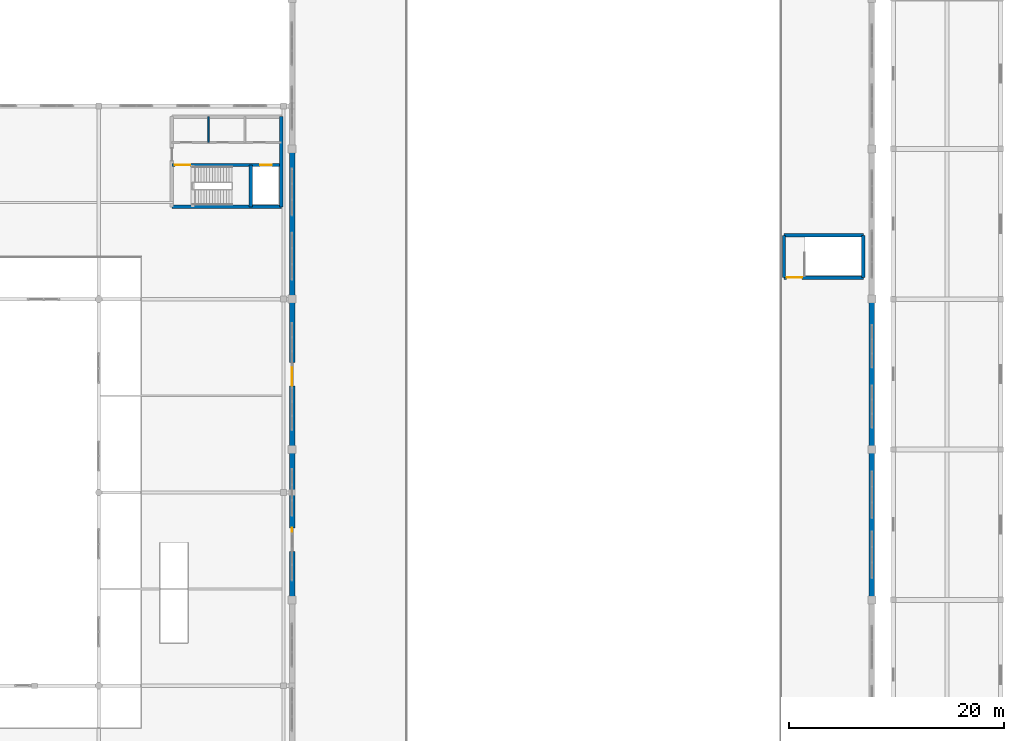
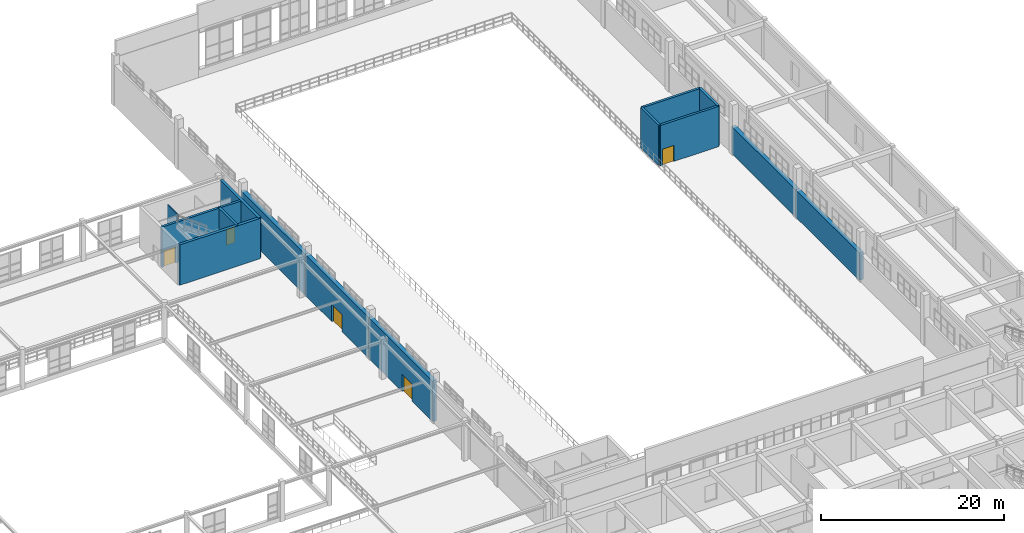
# One storey, part 179 of 197: 14 walls, 5 doors, 5 openings.
"""IFC4 building model written with IfcOpenShell, lengths in metres."""

from ifc_helpers import new_model, si_unit, derived_unit, direction, frame, frame_2d, origin, place, context, subcontext, project, spatial, rectangle, extrude, material, layer, layer_set, type_object, element, fill, save


model = new_model("IFC4")

# Units and contexts
model_context = context("Model", 3, precision=1e-05, world=origin(), true_north=direction((0.0, 1.0)))
body_context = subcontext(model_context, "Body", "Model", "MODEL_VIEW")
ifc_project = project(units=[si_unit("LENGTHUNIT", "METRE"), si_unit("AREAUNIT", "SQUARE_METRE"), si_unit("VOLUMEUNIT", "CUBIC_METRE"), si_unit("PLANEANGLEUNIT", "RADIAN"), si_unit("MASSUNIT", "GRAM", prefix="KILO"), derived_unit("THERMALTRANSMITTANCEUNIT", [(si_unit("POWERUNIT", "WATT"), 1), (si_unit("LENGTHUNIT", "METRE"), -2), (si_unit("THERMODYNAMICTEMPERATUREUNIT", "KELVIN"), -1)])], contexts=[model_context])

# Site, building, storey
site_placement = place(None, origin())
site = spatial("IfcSite", under=ifc_project, at=site_placement, CompositionType="ELEMENT")
building_placement = place(site_placement, origin())
building = spatial("IfcBuilding", under=site, at=building_placement, Name="Almenara Railside Exhibition Hall", CompositionType="ELEMENT")
storey_placement = place(building_placement, frame((0.0, 0.0, 5.39990234375)))
storey = spatial("IfcBuildingStorey", under=building, at=storey_placement, Name="L01", CompositionType="ELEMENT", Elevation=5.39990234375)

# Walls
ifc_material_1 = material(Name="Concrete C35/45", Category="concrete")
ifc_layer_1 = layer(ifc_material_1, 0.35009765625, Name="Concrete C35/45")
ifc_layer_set_1 = layer_set([ifc_layer_1], Name="Concrete C35/45")
wall_type_1 = type_object("IfcWallType", Name="Core Coupled Shear Wall 350mm C35/45", PredefinedType="SHEAR", material=ifc_layer_set_1)
wall_1_placement = place(storey_placement, frame((126.800048828125, 98.60009765625, 0.0), z_axis=(0.0, 0.0, 1.0), x_axis=(1.0, 0.0, 0.0)))
element("IfcWall", 1, at=wall_1_placement, inside=storey, type_object=wall_type_1, Name="Interior wall 0226", PredefinedType="SHEAR", context=body_context, shape_type="SweptSolid", body=[
    extrude(rectangle(XDim=10.199951171875, YDim=0.35009765625, at=frame_2d((5.10009765625, 0.0))), origin(), (0.0, 0.0, 1.0), 5.400146484375),
])
wall_2_placement = place(storey_placement, frame((137.0, 98.60009765625, 0.0), z_axis=(0.0, 0.0, 1.0), x_axis=(0.0, 1.0, 0.0)))
element("IfcWall", 2, at=wall_2_placement, inside=storey, type_object=wall_type_1, Name="Interior wall 0229", PredefinedType="SHEAR", context=body_context, shape_type="SweptSolid", body=[
    extrude(rectangle(XDim=8.39990234375, YDim=0.35009765625, at=frame_2d((4.199951171875, 0.0))), origin(), (0.0, 0.0, 1.0), 5.400146484375),
])

# Wall, opening, door
ifc_material_2 = material(Name="Ochre-white lime-rendered masonry over Concrete C35/45", Category="masonry")
ifc_layer_2 = layer(ifc_material_2, 0.510009765625, Name="Ochre-white lime-rendered masonry over Concrete C35/45")
ifc_layer_set_2 = layer_set([ifc_layer_2], Name="Ochre-white lime-rendered masonry over Concrete C35/45")
wall_type_2 = type_object("IfcWallType", Name="Exterior East Hall Thermal Wall 510mm C35/45", PredefinedType="SOLIDWALL", material=ifc_layer_set_2)
wall_3_placement = place(storey_placement, frame((138.0, 76.0, 0.0), z_axis=(0.0, 0.0, 1.0), x_axis=(0.0, -1.0, 0.0)))
wall_3 = element("IfcWall", 3, at=wall_3_placement, inside=storey, type_object=wall_type_2, Name="Exterior wall 0079", PredefinedType="SOLIDWALL", context=body_context, shape_type="SweptSolid", body=[
    extrude(rectangle(XDim=14.0, YDim=0.510009765625, at=frame_2d((7.0, 0.0))), origin(), (0.0, 0.0, 1.0), 5.4501953125),
])
opening_1_placement = place(wall_3_placement, frame((7.300048828125, 0.0, 0.0)))
opening_1 = element("IfcOpeningElement", 4, at=opening_1_placement, cuts=wall_3, Name="Opening FD-22", PredefinedType="OPENING", context=body_context, shape_type="SweptSolid", body=[
    extrude(rectangle(XDim=2.199951171875, YDim=2.300048828125, at=frame_2d((1.10009765625, 1.14990234375))), frame((0.0, 0.264892578125, 0.0), z_axis=(0.0, -1.0, 0.0), x_axis=(1.0, 0.0, 0.0)), (0.0, 0.0, 1.0), 0.530029296875),
])
ifc_material_3 = material(Name="Steel-framed fire-rated timber door", Category="steel")
door_type_1 = type_object("IfcDoorType", Name="Hall Escape Stair Double Door 2200x2300 EI60", OperationType="NOTDEFINED", PredefinedType="DOOR", material=ifc_material_3)
door_1_placement = place(opening_1_placement, origin())
door_1 = element("IfcDoor", 5, at=door_1_placement, inside=storey, type_object=door_type_1, Name="Interior door FD-22-280", OperationType="DOUBLE_DOOR_SINGLE_SWING", OverallHeight=2.300048828125, OverallWidth=2.199951171875, PredefinedType="DOOR", context=body_context, shape_type="SweptSolid", body=[
    extrude(rectangle(XDim=2.199951171875, YDim=2.300048828125, at=frame_2d((1.10009765625, 1.14990234375))), frame((0.0, 0.02490234375, 0.0), z_axis=(0.0, -1.0, 0.0), x_axis=(1.0, 0.0, 0.0)), (0.0, 0.0, 1.0), 0.050048828125),
])
fill(opening_1, door_1)

# Wall
wall_4_placement = place(storey_placement, frame((192.0, 62.0, 0.0), z_axis=(0.0, 0.0, 1.0), x_axis=(0.0, 1.0, 0.0)))
element("IfcWall", 6, at=wall_4_placement, inside=storey, type_object=wall_type_2, Name="Exterior wall 0081", PredefinedType="SOLIDWALL", context=body_context, shape_type="SweptSolid", body=[
    extrude(rectangle(XDim=14.0, YDim=0.510009765625, at=frame_2d((7.0, 0.0))), origin(), (0.0, 0.0, 1.0), 3.650146484375),
])

# Wall, opening, door
wall_5_placement = place(storey_placement, frame((138.0, 90.0, 0.0), z_axis=(0.0, 0.0, 1.0), x_axis=(0.0, -1.0, 0.0)))
wall_5 = element("IfcWall", 7, at=wall_5_placement, inside=storey, type_object=wall_type_2, Name="Exterior wall 0082", PredefinedType="SOLIDWALL", context=body_context, shape_type="SweptSolid", body=[
    extrude(rectangle(XDim=14.0, YDim=0.510009765625, at=frame_2d((7.0, 0.0))), origin(), (0.0, 0.0, 1.0), 5.4501953125),
])
opening_2_placement = place(wall_5_placement, frame((5.89990234375, 0.0, 0.0)))
opening_2 = element("IfcOpeningElement", 8, at=opening_2_placement, cuts=wall_5, Name="Opening FD-22", PredefinedType="OPENING", context=body_context, shape_type="SweptSolid", body=[
    extrude(rectangle(XDim=2.199951171875, YDim=2.300048828125, at=frame_2d((1.10009765625, 1.14990234375))), frame((0.0, 0.264892578125, 0.0), z_axis=(0.0, -1.0, 0.0), x_axis=(1.0, 0.0, 0.0)), (0.0, 0.0, 1.0), 0.530029296875),
])
door_2_placement = place(opening_2_placement, origin())
door_2 = element("IfcDoor", 9, at=door_2_placement, inside=storey, type_object=door_type_1, Name="Interior door FD-22-281", OperationType="DOUBLE_DOOR_SINGLE_SWING", OverallHeight=2.300048828125, OverallWidth=2.199951171875, PredefinedType="DOOR", context=body_context, shape_type="SweptSolid", body=[
    extrude(rectangle(XDim=2.199951171875, YDim=2.300048828125, at=frame_2d((1.10009765625, 1.14990234375))), frame((0.0, 0.02490234375, 0.0), z_axis=(0.0, -1.0, 0.0), x_axis=(1.0, 0.0, 0.0)), (0.0, 0.0, 1.0), 0.050048828125),
])
fill(opening_2, door_2)

# Walls
wall_6_placement = place(storey_placement, frame((192.0, 76.0, 0.0), z_axis=(0.0, 0.0, 1.0), x_axis=(0.0, 1.0, 0.0)))
element("IfcWall", 10, at=wall_6_placement, inside=storey, type_object=wall_type_2, Name="Exterior wall 0084", PredefinedType="SOLIDWALL", context=body_context, shape_type="SweptSolid", body=[
    extrude(rectangle(XDim=14.0, YDim=0.510009765625, at=frame_2d((7.0, 0.0))), origin(), (0.0, 0.0, 1.0), 3.650146484375),
])
wall_7_placement = place(storey_placement, frame((138.0, 104.0, 0.0), z_axis=(0.0, 0.0, 1.0), x_axis=(0.0, -1.0, 0.0)))
element("IfcWall", 11, at=wall_7_placement, inside=storey, type_object=wall_type_2, Name="Exterior wall 0085", PredefinedType="SOLIDWALL", context=body_context, shape_type="SweptSolid", body=[
    extrude(rectangle(XDim=14.0, YDim=0.510009765625, at=frame_2d((7.0, 0.0))), origin(), (0.0, 0.0, 1.0), 5.4501953125),
])
ifc_material_4 = material(Name="Moisture-resistant tiled masonry partition", Category="masonry")
ifc_layer_3 = layer(ifc_material_4, 0.139892578125, Name="Moisture-resistant tiled masonry partition")
ifc_layer_set_3 = layer_set([ifc_layer_3], Name="Moisture-resistant tiled masonry partition")
wall_type_3 = type_object("IfcWallType", Name="Sanitary Wet-Wall Partition 140mm", PredefinedType="PARTITIONING", material=ifc_layer_set_3)
wall_8_placement = place(storey_placement, frame((130.199951171875, 104.60009765625, 0.0), z_axis=(0.0, 0.0, 1.0), x_axis=(0.0, 1.0, 0.0)))
element("IfcWall", 12, at=wall_8_placement, inside=storey, type_object=wall_type_3, Name="Interior wall 0233", PredefinedType="PARTITIONING", context=body_context, shape_type="SweptSolid", body=[
    extrude(rectangle(XDim=2.39990234375, YDim=0.139892578125, at=frame_2d((1.199951171875, 0.0))), origin(), (0.0, 0.0, 1.0), 4.5),
])

# Wall, openings, doors
ifc_layer_4 = layer(ifc_material_1, 0.300048828125, Name="Concrete C35/45")
ifc_layer_set_4 = layer_set([ifc_layer_4], Name="Concrete C35/45")
wall_type_4 = type_object("IfcWallType", Name="Stair and Lift Shaft Wall 300mm C35/45", PredefinedType="SHEAR", material=ifc_layer_set_4)
wall_9_placement = place(storey_placement, frame((126.800048828125, 102.5, 0.0), z_axis=(0.0, 0.0, 1.0), x_axis=(1.0, 0.0, 0.0)))
wall_9 = element("IfcWall", 13, at=wall_9_placement, inside=storey, type_object=wall_type_4, Name="Interior wall 0230", PredefinedType="SHEAR", context=body_context, shape_type="SweptSolid", body=[
    extrude(rectangle(XDim=10.199951171875, YDim=0.300048828125, at=frame_2d((5.10009765625, 0.0))), origin(), (0.0, 0.0, 1.0), 5.400146484375),
])
opening_3_placement = place(wall_9_placement, frame((0.280029296875, 0.0, 0.0)))
opening_3 = element("IfcOpeningElement", 14, at=opening_3_placement, cuts=wall_9, Name="Opening FD-145", PredefinedType="OPENING", context=body_context, shape_type="SweptSolid", body=[
    extrude(rectangle(XDim=1.449951171875, YDim=2.14990234375, at=frame_2d((0.72509765625, 1.074951171875))), frame((0.0, 0.159912109375, 0.0), z_axis=(0.0, -1.0, 0.0), x_axis=(1.0, 0.0, 0.0)), (0.0, 0.0, 1.0), 0.320068359375),
])
opening_4_placement = place(wall_9_placement, frame((8.22509765625, 0.0, 0.0)))
opening_4 = element("IfcOpeningElement", 15, at=opening_4_placement, cuts=wall_9, Name="Opening LD-11-C8", PredefinedType="OPENING", context=body_context, shape_type="SweptSolid", body=[
    extrude(rectangle(XDim=1.10009765625, YDim=2.14990234375, at=frame_2d((0.550048828125, 1.074951171875))), frame((0.0, 0.159912109375, 0.0), z_axis=(0.0, -1.0, 0.0), x_axis=(1.0, 0.0, 0.0)), (0.0, 0.0, 1.0), 0.320068359375),
])
door_type_2 = type_object("IfcDoorType", Name="Fire Escape Stair Door 1450x2150 EI60", OperationType="NOTDEFINED", PredefinedType="DOOR", material=ifc_material_3)
door_3_placement = place(opening_3_placement, origin())
door_3 = element("IfcDoor", 16, at=door_3_placement, inside=storey, type_object=door_type_2, Name="Interior door FD-145-152", OperationType="DOUBLE_DOOR_SINGLE_SWING", OverallHeight=2.14990234375, OverallWidth=1.449951171875, PredefinedType="DOOR", context=body_context, shape_type="SweptSolid", body=[
    extrude(rectangle(XDim=1.449951171875, YDim=2.14990234375, at=frame_2d((0.72509765625, 1.074951171875))), frame((0.0, 0.02490234375, 0.0), z_axis=(0.0, -1.0, 0.0), x_axis=(1.0, 0.0, 0.0)), (0.0, 0.0, 1.0), 0.050048828125),
])
fill(opening_3, door_3)
ifc_material_5 = material(Name="Brushed bronze-stainless steel sliding landing door", Category="steel")
door_type_3 = type_object("IfcDoorType", Name="Passenger Lift Sliding Landing Door 1100x2150", OperationType="DOUBLE_DOOR_SLIDING", PredefinedType="DOOR", material=ifc_material_5)
door_4_placement = place(opening_4_placement, origin())
door_4 = element("IfcDoor", 17, at=door_4_placement, inside=storey, type_object=door_type_3, Name="Interior door LD-11-C8-153", OperationType="DOUBLE_DOOR_SLIDING", OverallHeight=2.14990234375, OverallWidth=1.10009765625, PredefinedType="DOOR", context=body_context, shape_type="SweptSolid", body=[
    extrude(rectangle(XDim=1.10009765625, YDim=2.14990234375, at=frame_2d((0.550048828125, 1.074951171875))), frame((0.0, 0.02490234375, 0.0), z_axis=(0.0, -1.0, 0.0), x_axis=(1.0, 0.0, 0.0)), (0.0, 0.0, 1.0), 0.050048828125),
])
fill(opening_4, door_4)

# Wall
wall_10_placement = place(storey_placement, frame((134.14990234375, 98.60009765625, 0.0), z_axis=(0.0, 0.0, 1.0), x_axis=(0.0, 1.0, 0.0)))
element("IfcWall", 18, at=wall_10_placement, inside=storey, type_object=wall_type_4, Name="Interior wall 0231", PredefinedType="SHEAR", context=body_context, shape_type="SweptSolid", body=[
    extrude(rectangle(XDim=3.89990234375, YDim=0.300048828125, at=frame_2d((1.949951171875, 0.0))), origin(), (0.0, 0.0, 1.0), 5.400146484375),
])

# Wall, opening, door
wall_11_placement = place(storey_placement, frame((183.800048828125, 92.0, 0.0), z_axis=(0.0, 0.0, 1.0), x_axis=(1.0, 0.0, 0.0)))
wall_11 = element("IfcWall", 19, at=wall_11_placement, inside=storey, type_object=wall_type_4, Name="Interior wall 0348", PredefinedType="SHEAR", context=body_context, shape_type="SweptSolid", body=[
    extrude(rectangle(XDim=7.39990234375, YDim=0.300048828125, at=frame_2d((3.699951171875, 0.0))), origin(), (0.0, 0.0, 1.0), 5.400146484375),
])
opening_5_placement = place(wall_11_placement, frame((0.25, 0.0, 0.0)))
opening_5 = element("IfcOpeningElement", 20, at=opening_5_placement, cuts=wall_11, Name="Opening FD-145", PredefinedType="OPENING", context=body_context, shape_type="SweptSolid", body=[
    extrude(rectangle(XDim=1.449951171875, YDim=2.14990234375, at=frame_2d((0.72509765625, 1.074951171875))), frame((0.0, 0.159912109375, 0.0), z_axis=(0.0, -1.0, 0.0), x_axis=(1.0, 0.0, 0.0)), (0.0, 0.0, 1.0), 0.320068359375),
])
door_5_placement = place(opening_5_placement, origin())
door_5 = element("IfcDoor", 21, at=door_5_placement, inside=storey, type_object=door_type_2, Name="Interior door FD-145-202", OperationType="DOUBLE_DOOR_SINGLE_SWING", OverallHeight=2.14990234375, OverallWidth=1.449951171875, PredefinedType="DOOR", context=body_context, shape_type="SweptSolid", body=[
    extrude(rectangle(XDim=1.449951171875, YDim=2.14990234375, at=frame_2d((0.72509765625, 1.074951171875))), frame((0.0, 0.02490234375, 0.0), z_axis=(0.0, -1.0, 0.0), x_axis=(1.0, 0.0, 0.0)), (0.0, 0.0, 1.0), 0.050048828125),
])
fill(opening_5, door_5)

# Walls
wall_12_placement = place(storey_placement, frame((191.199951171875, 95.949951171875, 0.0), z_axis=(0.0, 0.0, 1.0), x_axis=(-1.0, 0.0, 0.0)))
element("IfcWall", 22, at=wall_12_placement, inside=storey, type_object=wall_type_4, Name="Interior wall 0349", PredefinedType="SHEAR", context=body_context, shape_type="SweptSolid", body=[
    extrude(rectangle(XDim=7.39990234375, YDim=0.300048828125, at=frame_2d((3.699951171875, 0.0))), origin(), (0.0, 0.0, 1.0), 5.400146484375),
])
for number, where, z_axis, x_axis, name in (
    (23, (183.800048828125, 95.949951171875, 0.0), (0.0, 0.0, 1.0), (0.0, -1.0, 0.0), "Interior wall 0350"),
    (24, (191.199951171875, 92.0, 0.0), (0.0, 0.0, 1.0), (0.0, 1.0, 0.0), "Interior wall 0351"),
):
    element("IfcWall", number, at=place(storey_placement, frame(where, z_axis=z_axis, x_axis=x_axis)), inside=storey, type_object=wall_type_4, Name=name, PredefinedType="SHEAR", context=body_context, shape_type="SweptSolid", body=[
        extrude(rectangle(XDim=3.949951171875, YDim=0.300048828125, at=frame_2d((1.97509765625, 0.0))), origin(), (0.0, 0.0, 1.0), 5.400146484375),
    ])

save(model, "model.ifc")
